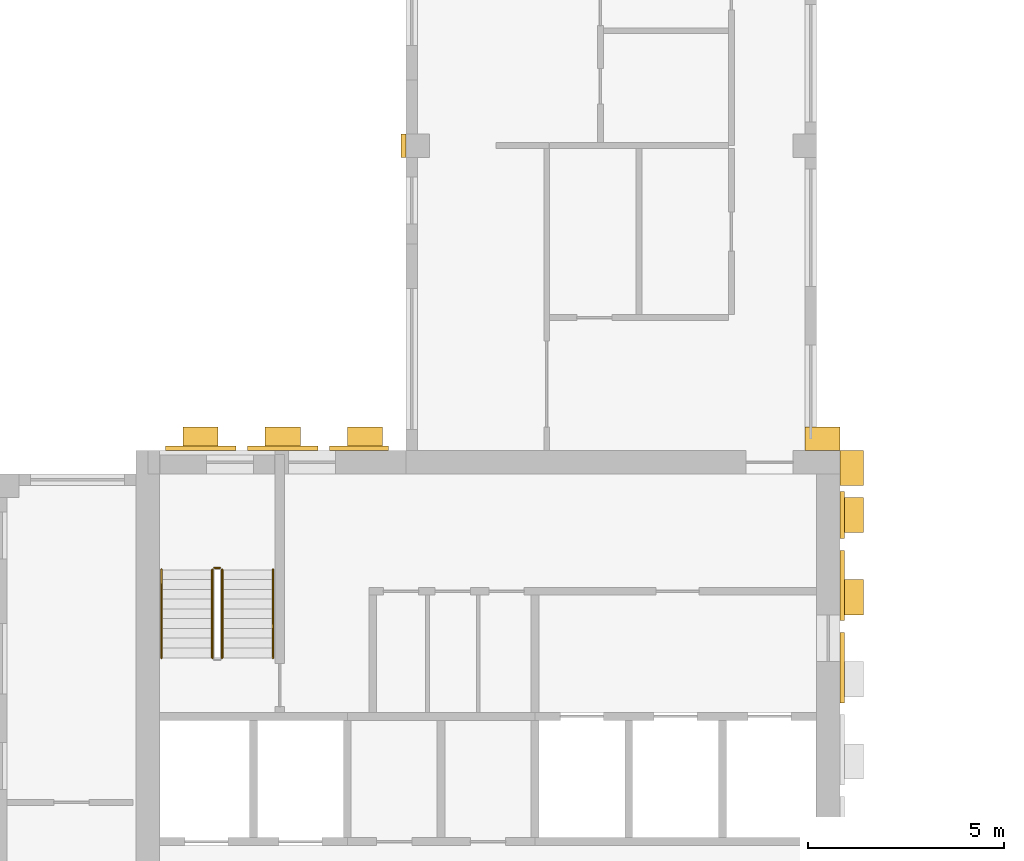
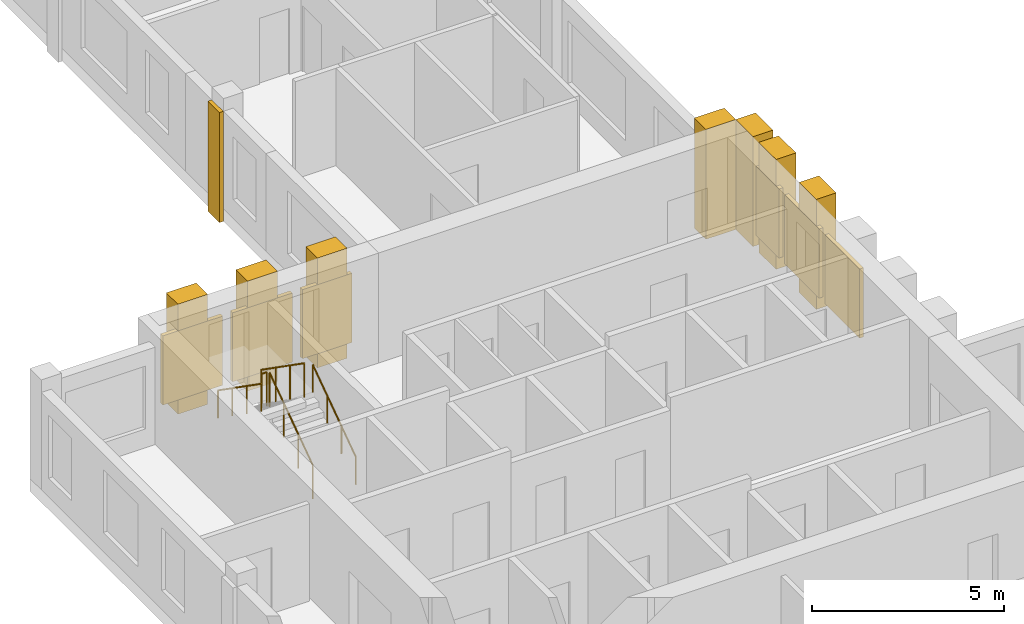
# One storey, part 8 of 10: 14 coverings, 5 railings.
"""IFC4 building model written with IfcOpenShell, lengths in metres."""

import ifcopenshell
import ifcopenshell.guid

model = None  # the IFC model being written
_history = None  # IfcOwnerHistory: only IFC2X3 demands one
_inside = {}  # id of a spatial element -> (the spatial element, [elements in it])
_under = {}  # id of a project, library or spatial element -> (it, [spatial elements below it])
_declared = {}  # id of a project -> (the project, [libraries it declares])
_typed = {}  # id of a type object -> (the type object, [elements of that type])
_made_of = {}  # id of a material, layer set ... -> (it, [elements and type objects made of it])


def new_model(schema):
    """Start an empty IFC model of exactly this schema.

    Asked for "IFC4X3", IfcOpenShell would pick the latest addendum, in which some entities
    have other attributes; the version numbers below select the first issue.
    IFC2X3 requires an IfcOwnerHistory on every rooted entity: one is made here for all.
    """
    global model, _history
    if schema == "IFC4X3":
        model = ifcopenshell.file(schema_version=(4, 3, 0, 0))
    else:
        model = ifcopenshell.file(schema=schema)
    _inside.clear()
    _under.clear()
    _declared.clear()
    _typed.clear()
    _made_of.clear()
    _history = None
    if model.schema == "IFC2X3":
        org = make("IfcOrganization", Name="unknown")
        user = make(
            "IfcPersonAndOrganization",
            ThePerson=make("IfcPerson", FamilyName="unknown"),
            TheOrganization=org,
        )
        app = make(
            "IfcApplication",
            ApplicationDeveloper=org,
            Version="unknown",
            ApplicationFullName="unknown",
            ApplicationIdentifier="unknown",
        )
        _history = make(
            "IfcOwnerHistory",
            OwningUser=user,
            OwningApplication=app,
            ChangeAction="ADDED",
            CreationDate=0,
        )
    return model


def make(cls, **values):
    """One entity of the class cls with the attributes given. An attribute that is None is left unset."""
    return model.create_entity(
        cls, **{name: value for name, value in values.items() if value is not None}
    )


def rooted(cls, **values):
    """An entity with a GlobalId (a new one), such as an element, a storey or a relation."""
    return make(cls, GlobalId=ifcopenshell.guid.new(), OwnerHistory=_history, **values)


def si_unit(unit_type, name, prefix=None):
    """IfcSIUnit, for example si_unit("LENGTHUNIT", "METRE", prefix="MILLI")."""
    return make("IfcSIUnit", UnitType=unit_type, Prefix=prefix, Name=name)


def assignment(units):
    """IfcUnitAssignment: the units of a project."""
    return None if units is None else make("IfcUnitAssignment", Units=units)


def point(xyz):
    """IfcCartesianPoint."""
    return None if xyz is None else make("IfcCartesianPoint", Coordinates=xyz)


def direction(xyz):
    """IfcDirection."""
    return None if xyz is None else make("IfcDirection", DirectionRatios=xyz)


def frame(location, z_axis=None, x_axis=None):
    """IfcAxis2Placement3D, a coordinate frame: its origin and axes. An axis left out is left unset."""
    return make(
        "IfcAxis2Placement3D",
        Location=point(location),
        Axis=direction(z_axis),
        RefDirection=direction(x_axis),
    )


def frame_2d(location, x_axis=None):
    """IfcAxis2Placement2D, a coordinate frame in the plane: its origin and x axis."""
    return make(
        "IfcAxis2Placement2D", Location=point(location), RefDirection=direction(x_axis)
    )


def origin():
    """The frame at (0, 0, 0) with its axes left unset."""
    return frame((0.0, 0.0, 0.0))


def origin_2d():
    """The frame at (0, 0) in the plane with its x axis left unset."""
    return frame_2d((0.0, 0.0))


def place(relative_to, where):
    """IfcLocalPlacement: puts the frame where relative to a parent placement (None: the world)."""
    return make(
        "IfcLocalPlacement", PlacementRelTo=relative_to, RelativePlacement=where
    )


def context(
    kind, dimensions, precision=None, world=None, true_north=None, identifier=None
):
    """IfcGeometricRepresentationContext, for example the 3D "Model" context."""
    return make(
        "IfcGeometricRepresentationContext",
        ContextIdentifier=identifier,
        ContextType=kind,
        CoordinateSpaceDimension=dimensions,
        Precision=precision,
        WorldCoordinateSystem=world,
        TrueNorth=true_north,
    )


def subcontext(parent, identifier, kind, view, scale=None):
    """IfcGeometricRepresentationSubContext, for example "Body" below "Model"."""
    return make(
        "IfcGeometricRepresentationSubContext",
        ContextIdentifier=identifier,
        ContextType=kind,
        ParentContext=parent,
        TargetScale=scale,
        TargetView=view,
    )


def project(units=None, contexts=None):
    """IfcProject with its units and contexts."""
    return rooted(
        "IfcProject",
        Name="project",
        RepresentationContexts=contexts,
        UnitsInContext=assignment(units),
    )


def spatial(cls, under=None, at=None, **own):
    """A site, building, storey or space (cls), placed at a placement, below another one or the project."""
    s = rooted(cls, ObjectPlacement=at, **own)
    if under is not None:
        _under.setdefault(under.id(), (under, []))[1].append(s)
    return s


def profile(cls, at=None, kind="AREA", **sizes):
    """A parametric profile (cls). Its sizes go by their IFC names, for example OverallWidth=200.0."""
    return make(cls, ProfileType=kind, Position=at, **sizes)


def rectangle(**sizes):
    """IfcRectangleProfileDef."""
    return profile("IfcRectangleProfileDef", **sizes)


def circle(**sizes):
    """IfcCircleProfileDef."""
    return profile("IfcCircleProfileDef", **sizes)


def extrude(swept, where, along, depth):
    """IfcExtrudedAreaSolid: the profile swept, set in the frame where, extruded along a direction by depth."""
    return make(
        "IfcExtrudedAreaSolid",
        SweptArea=swept,
        Position=where,
        ExtrudedDirection=direction(along),
        Depth=depth,
    )


def shape(context_of_items, identifier, shape_type, items):
    """IfcShapeRepresentation: the items that make up one representation, for example the "Body"."""
    return make(
        "IfcShapeRepresentation",
        ContextOfItems=context_of_items,
        RepresentationIdentifier=identifier,
        RepresentationType=shape_type,
        Items=items,
    )


def source(mapping_origin, context_of_items, identifier, shape_type, items):
    """IfcRepresentationMap: a shape defined once, which mapped items show again and again."""
    return make(
        "IfcRepresentationMap",
        MappingOrigin=mapping_origin,
        MappedRepresentation=shape(context_of_items, identifier, shape_type, items),
    )


def transform(
    local_origin,
    x_axis=None,
    y_axis=None,
    z_axis=None,
    scale=None,
    scale2=None,
    scale3=None,
    uniform=True,
):
    """IfcCartesianTransformationOperator3D, or its non-uniform kind. x_axis, y_axis, z_axis: its Axis1, 2, 3."""
    if uniform:
        return make(
            "IfcCartesianTransformationOperator3D",
            Axis1=direction(x_axis),
            Axis2=direction(y_axis),
            LocalOrigin=point(local_origin),
            Scale=scale,
            Axis3=direction(z_axis),
        )
    return make(
        "IfcCartesianTransformationOperator3DnonUniform",
        Axis1=direction(x_axis),
        Axis2=direction(y_axis),
        LocalOrigin=point(local_origin),
        Scale=scale,
        Axis3=direction(z_axis),
        Scale2=scale2,
        Scale3=scale3,
    )


def mapped(mapping_source, mapping_target):
    """IfcMappedItem: shows the shape of a source again, moved by a transform."""
    return make(
        "IfcMappedItem", MappingSource=mapping_source, MappingTarget=mapping_target
    )


def material(Name=None, Category=None):
    """IfcMaterial."""
    return make("IfcMaterial", Name=Name, Category=Category)


def made_of(thing, what):
    """Note that an element or type object is made of a material, layer set ...; save() writes the relation."""
    if what is not None:
        _made_of.setdefault(what.id(), (what, []))[1].append(thing)
    return thing


def type_object(cls, material=None, **own):
    """A type object (cls), such as IfcWallType, which elements share."""
    return made_of(rooted(cls, **own), material)


def element(
    cls,
    number,
    at=None,
    inside=None,
    cuts=None,
    type_object=None,
    material=None,
    context=None,
    identifier="Body",
    shape_type=None,
    held_by="IfcProductDefinitionShape",
    body=None,
    shapes=None,
    **own,
):
    """One element of the class cls, such as IfcWall. Its Tag is "e" and its number.

    at: its placement. inside: the storey or other place that contains it. cuts: it is an
    opening in that element (IfcRelVoidsElement). A single representation is given by context,
    identifier, shape_type and body (its items); several are given by shapes. held_by: the class
    of the entity that holds the representations. save() writes the other relations.
    """
    e = rooted(cls, Tag="e%d" % number, ObjectPlacement=at, **own)
    if body is not None:
        shapes = [shape(context, identifier, shape_type, body)]
    if shapes is not None:
        e.Representation = make(held_by, Representations=shapes)
    if inside is not None:
        _inside.setdefault(inside.id(), (inside, []))[1].append(e)
    if cuts is not None:
        rooted(
            "IfcRelVoidsElement", RelatingBuildingElement=cuts, RelatedOpeningElement=e
        )
    if type_object is not None:
        _typed.setdefault(type_object.id(), (type_object, []))[1].append(e)
    return made_of(e, material)


def aggregate(whole, parts):
    """IfcRelAggregates: a whole, such as a stair, and the parts it consists of."""
    return rooted("IfcRelAggregates", RelatingObject=whole, RelatedObjects=parts)


def save(model, path):
    """Write the relations noted so far, then the file.

    IfcRelAggregates (storeys below a building ...), IfcRelContainedInSpatialStructure (elements
    in a storey), IfcRelDefinesByType, IfcRelAssociatesMaterial and IfcRelDeclares: one each for
    every whole, place, type object, material and project.
    """
    for whole, parts in _under.values():
        aggregate(whole, parts)
    for where, things in _inside.values():
        rooted(
            "IfcRelContainedInSpatialStructure",
            RelatedElements=things,
            RelatingStructure=where,
        )
    for kind, things in _typed.values():
        rooted("IfcRelDefinesByType", RelatedObjects=things, RelatingType=kind)
    for what, things in _made_of.values():
        rooted("IfcRelAssociatesMaterial", RelatedObjects=things, RelatingMaterial=what)
    for by, libraries in _declared.values():
        rooted("IfcRelDeclares", RelatingContext=by, RelatedDefinitions=libraries)
    model.write(path)


model = new_model("IFC4")

# Units and contexts
model_context = context("Model", 3, precision=1e-05, world=origin(), true_north=direction((0.0, 1.0)))
body_context = subcontext(model_context, "Body", "Model", "MODEL_VIEW")
ifc_project = project(units=[si_unit("LENGTHUNIT", "METRE"), si_unit("AREAUNIT", "SQUARE_METRE"), si_unit("VOLUMEUNIT", "CUBIC_METRE"), si_unit("PLANEANGLEUNIT", "RADIAN"), si_unit("MASSUNIT", "GRAM", prefix="KILO")], contexts=[model_context])

# Site, building, storey
site_placement = place(None, origin())
site = spatial("IfcSite", under=ifc_project, at=site_placement, CompositionType="ELEMENT")
building_placement = place(site_placement, origin())
building = spatial("IfcBuilding", under=site, at=building_placement, Name="Aurelian Terraces", CompositionType="ELEMENT")
storey_placement = place(building_placement, frame((0.0, 0.0, 358.0)))
storey = spatial("IfcBuildingStorey", under=building, at=storey_placement, Name="L85", CompositionType="ELEMENT", Elevation=358.0)

# Coverings
ifc_material_1 = material(Name="Terracotta rainscreen cladding louvre blades", Category="masonry")
covering_type_1 = type_object("IfcCoveringType", Name="LOUVRE-TC", PredefinedType="CLADDING", material=ifc_material_1)
shared_shape_1 = source(origin(), body_context, "Body", "SweptSolid", [
    extrude(rectangle(XDim=0.12, YDim=1.8, at=origin_2d()), origin(), (0.0, 0.0, 1.0), 2.2),
])
for number, where, z_axis, x_axis, name in (
    (1, (21.66, 16.05, 0.45), (0.0, 0.0, 1.0), (1.0, 0.0, 0.0), "LOUVRE L85 core face E.3"),
    (2, (21.66, 18.15, 0.45), (0.0, 0.0, 1.0), (1.0, 0.0, 0.0), "LOUVRE L85 core face E.4"),
):
    element("IfcCovering", number, at=place(storey_placement, frame(where, z_axis=z_axis, x_axis=x_axis)), inside=storey, type_object=covering_type_1, Name=name, PredefinedType="CLADDING", context=body_context, shape_type="MappedRepresentation", body=[
        mapped(shared_shape_1, transform((0.0, 0.0, 0.0), scale=1.0)),
    ])
shared_shape_2 = source(origin(), body_context, "Body", "SweptSolid", [
    extrude(rectangle(XDim=1.8, YDim=0.12, at=origin_2d()), origin(), (0.0, 0.0, 1.0), 2.2),
])
for number, where, z_axis, x_axis, name in (
    (3, (5.25, 21.66, 0.45), (0.0, 0.0, 1.0), (1.0, 0.0, 0.0), "LOUVRE L85 core face N.1"),
    (4, (7.35, 21.66, 0.45), (0.0, 0.0, 1.0), (1.0, 0.0, 0.0), "LOUVRE L85 core face N.2"),
):
    element("IfcCovering", number, at=place(storey_placement, frame(where, z_axis=z_axis, x_axis=x_axis)), inside=storey, type_object=covering_type_1, Name=name, PredefinedType="CLADDING", context=body_context, shape_type="MappedRepresentation", body=[
        mapped(shared_shape_2, transform((0.0, 0.0, 0.0), scale=1.0)),
    ])
shared_shape_3 = source(origin(), body_context, "Body", "SweptSolid", [
    extrude(rectangle(XDim=0.12, YDim=1.2, at=origin_2d()), origin(), (0.0, 0.0, 1.0), 2.2),
])
covering_1_placement = place(storey_placement, frame((21.66, 19.95, 0.45), z_axis=(0.0, 0.0, 1.0), x_axis=(1.0, 0.0, 0.0)))
element("IfcCovering", 5, at=covering_1_placement, inside=storey, type_object=covering_type_1, Name="LOUVRE L85 core face E.5", PredefinedType="CLADDING", context=body_context, shape_type="MappedRepresentation", body=[
    mapped(shared_shape_3, transform((0.0, 0.0, 0.0), scale=1.0)),
])
shared_shape_4 = source(origin(), body_context, "Body", "SweptSolid", [
    extrude(rectangle(XDim=1.5, YDim=0.12, at=origin_2d()), origin(), (0.0, 0.0, 1.0), 2.2),
])
covering_2_placement = place(storey_placement, frame((9.3, 21.66, 0.45), z_axis=(0.0, 0.0, 1.0), x_axis=(1.0, 0.0, 0.0)))
element("IfcCovering", 6, at=covering_2_placement, inside=storey, type_object=covering_type_1, Name="LOUVRE L85 core face N.3", PredefinedType="CLADDING", context=body_context, shape_type="MappedRepresentation", body=[
    mapped(shared_shape_4, transform((0.0, 0.0, 0.0), scale=1.0)),
])
ifc_material_2 = material(Name="Terracotta rainscreen cladding relief", Category="masonry")
covering_type_2 = type_object("IfcCoveringType", Name="BAGUETTE-TC", PredefinedType="CLADDING", material=ifc_material_2)
shared_shape_5 = source(origin(), body_context, "Body", "SweptSolid", [
    extrude(rectangle(XDim=0.12, YDim=0.6, at=origin_2d()), origin(), (0.0, 0.0, 1.0), 3.5),
])
covering_3_placement = place(storey_placement, frame((10.44, 29.4, -0.4), z_axis=(0.0, 0.0, 1.0), x_axis=(1.0, 0.0, 0.0)))
element("IfcCovering", 7, at=covering_3_placement, inside=storey, type_object=covering_type_2, Name="BAGUETTE pier L85 6", PredefinedType="CLADDING", context=body_context, shape_type="MappedRepresentation", body=[
    mapped(shared_shape_5, transform((0.0, 0.0, 0.0), scale=1.0)),
])

# Railings
ifc_material_3 = material(Name="Stainless steel", Category="steel")
railing_type_1 = type_object("IfcRailingType", Name="Stair guard 1100", PredefinedType="GUARDRAIL", material=ifc_material_3)
shared_shape_6 = source(origin(), body_context, "Body", "SweptSolid", [
    extrude(circle(Radius=0.024, at=origin_2d()), frame((0.0, 0.0, 1.076), z_axis=(-1.0, 0.0, 0.0), x_axis=(0.0, -1.0, 0.0)), (0.0, 0.0, 1.0), 0.15),
    extrude(circle(Radius=0.021, at=origin_2d()), origin(), (0.0, 0.0, 1.0), 1.052),
    extrude(circle(Radius=0.021, at=origin_2d()), frame((-0.15, 0.0, 0.0)), (0.0, 0.0, 1.0), 1.052),
])
railing_1_placement = place(storey_placement, frame((5.75, 18.6, 1.75)))
element("IfcRailing", 8, at=railing_1_placement, inside=storey, type_object=railing_type_1, Name="L85 S1 stair guard 2", PredefinedType="GUARDRAIL", context=body_context, shape_type="MappedRepresentation", body=[
    mapped(shared_shape_6, transform((0.0, 0.0, 0.0), scale=1.0)),
])
shared_shape_7 = source(origin(), body_context, "Body", "SweptSolid", [
    extrude(circle(Radius=0.024, at=origin_2d()), frame((0.0, 0.0, 1.076), z_axis=(0.0, 0.819231920519, 0.573462344363), x_axis=(-1.0, 0.0, 0.0)), (0.0, 0.0, 1.0), 2.7465),
    extrude(circle(Radius=0.021, at=origin_2d()), origin(), (0.0, 0.0, 1.0), 1.052),
    extrude(circle(Radius=0.021, at=origin_2d()), frame((0.0, 0.75, 0.525)), (0.0, 0.0, 1.0), 1.052),
    extrude(circle(Radius=0.021, at=origin_2d()), frame((0.0, 1.5, 1.05)), (0.0, 0.0, 1.0), 1.052),
    extrude(circle(Radius=0.021, at=origin_2d()), frame((0.0, 2.25, 1.575)), (0.0, 0.0, 1.0), 1.052),
])
railing_2_placement = place(storey_placement, frame((5.8, 16.3, 0.175)))
element("IfcRailing", 9, at=railing_2_placement, inside=storey, type_object=railing_type_1, Name="L85 S1 stair guard 1", PredefinedType="GUARDRAIL", context=body_context, shape_type="MappedRepresentation", body=[
    mapped(shared_shape_7, transform((0.0, 0.0, 0.0), scale=1.0)),
])
shared_shape_8 = source(origin(), body_context, "Body", "SweptSolid", [
    extrude(circle(Radius=0.024, at=origin_2d()), frame((0.0, 0.0, 1.076), z_axis=(0.0, -0.819231920519, 0.573462344363), x_axis=(1.0, 0.0, 0.0)), (0.0, 0.0, 1.0), 2.7465),
    extrude(circle(Radius=0.021, at=origin_2d()), origin(), (0.0, 0.0, 1.0), 1.052),
    extrude(circle(Radius=0.021, at=origin_2d()), frame((0.0, -0.75, 0.525)), (0.0, 0.0, 1.0), 1.052),
    extrude(circle(Radius=0.021, at=origin_2d()), frame((0.0, -1.5, 1.05)), (0.0, 0.0, 1.0), 1.052),
    extrude(circle(Radius=0.021, at=origin_2d()), frame((0.0, -2.25, 1.575)), (0.0, 0.0, 1.0), 1.052),
])
railing_3_placement = place(storey_placement, frame((5.55, 18.55, 1.925)))
element("IfcRailing", 10, at=railing_3_placement, inside=storey, type_object=railing_type_1, Name="L85 S1 stair guard 3", PredefinedType="GUARDRAIL", context=body_context, shape_type="MappedRepresentation", body=[
    mapped(shared_shape_8, transform((0.0, 0.0, 0.0), scale=1.0)),
])
railing_type_2 = type_object("IfcRailingType", Name="Stair handrail", PredefinedType="HANDRAIL", material=ifc_material_3)
shared_shape_9 = source(origin(), body_context, "Body", "SweptSolid", [
    extrude(circle(Radius=0.024, at=origin_2d()), frame((0.0, 0.0, 0.876), z_axis=(0.0, 0.819231920519, 0.573462344363), x_axis=(-1.0, 0.0, 0.0)), (0.0, 0.0, 1.0), 2.7465),
    extrude(circle(Radius=0.021, at=origin_2d()), origin(), (0.0, 0.0, 1.0), 0.852),
    extrude(circle(Radius=0.021, at=origin_2d()), frame((0.0, 0.75, 0.525)), (0.0, 0.0, 1.0), 0.852),
    extrude(circle(Radius=0.021, at=origin_2d()), frame((0.0, 1.5, 1.05)), (0.0, 0.0, 1.0), 0.852),
    extrude(circle(Radius=0.021, at=origin_2d()), frame((0.0, 2.25, 1.575)), (0.0, 0.0, 1.0), 0.852),
])
railing_4_placement = place(storey_placement, frame((7.1, 16.3, 0.175)))
element("IfcRailing", 11, at=railing_4_placement, inside=storey, type_object=railing_type_2, Name="L85 S1 stair handrail 1", PredefinedType="HANDRAIL", context=body_context, shape_type="MappedRepresentation", body=[
    mapped(shared_shape_9, transform((0.0, 0.0, 0.0), scale=1.0)),
])
shared_shape_10 = source(origin(), body_context, "Body", "SweptSolid", [
    extrude(circle(Radius=0.024, at=origin_2d()), frame((0.0, 0.0, 0.876), z_axis=(0.0, -0.819231920519, 0.573462344363), x_axis=(1.0, 0.0, 0.0)), (0.0, 0.0, 1.0), 2.7465),
    extrude(circle(Radius=0.021, at=origin_2d()), origin(), (0.0, 0.0, 1.0), 0.852),
    extrude(circle(Radius=0.021, at=origin_2d()), frame((0.0, -0.75, 0.525)), (0.0, 0.0, 1.0), 0.852),
    extrude(circle(Radius=0.021, at=origin_2d()), frame((0.0, -1.5, 1.05)), (0.0, 0.0, 1.0), 0.852),
    extrude(circle(Radius=0.021, at=origin_2d()), frame((0.0, -2.25, 1.575)), (0.0, 0.0, 1.0), 0.852),
])
railing_5_placement = place(storey_placement, frame((4.25, 18.55, 1.925)))
element("IfcRailing", 12, at=railing_5_placement, inside=storey, type_object=railing_type_2, Name="L85 S1 stair handrail 2", PredefinedType="HANDRAIL", context=body_context, shape_type="MappedRepresentation", body=[
    mapped(shared_shape_10, transform((0.0, 0.0, 0.0), scale=1.0)),
])

# Coverings
covering_type_3 = type_object("IfcCoveringType", Name="Core spine pier 900x600", PredefinedType="CLADDING", material=ifc_material_2)
shared_shape_11 = source(origin(), body_context, "Body", "SweptSolid", [
    extrude(rectangle(XDim=0.6, YDim=0.9, at=origin_2d()), origin(), (0.0, 0.0, 1.0), 3.5),
])
for number, where, z_axis, x_axis, name in (
    (13, (21.9, 17.85, 0.0), (0.0, 0.0, 1.0), (1.0, 0.0, 0.0), "Spine pier L85 E4"),
    (14, (21.9, 19.95, 0.0), (0.0, 0.0, 1.0), (1.0, 0.0, 0.0), "Spine pier L85 E5"),
    (15, (21.9, 21.15, 0.0), (0.0, 0.0, 1.0), (1.0, 0.0, 0.0), "Spine pier L85 corner east"),
):
    element("IfcCovering", number, at=place(storey_placement, frame(where, z_axis=z_axis, x_axis=x_axis)), inside=storey, type_object=covering_type_3, Name=name, PredefinedType="CLADDING", context=body_context, shape_type="MappedRepresentation", body=[
        mapped(shared_shape_11, transform((0.0, 0.0, 0.0), scale=1.0)),
    ])
shared_shape_12 = source(origin(), body_context, "Body", "SweptSolid", [
    extrude(rectangle(XDim=0.9, YDim=0.6, at=origin_2d()), origin(), (0.0, 0.0, 1.0), 3.5),
])
for number, where, z_axis, x_axis, name in (
    (16, (5.25, 21.9, 0.0), (0.0, 0.0, 1.0), (1.0, 0.0, 0.0), "Spine pier L85 N6"),
    (17, (7.35, 21.9, 0.0), (0.0, 0.0, 1.0), (1.0, 0.0, 0.0), "Spine pier L85 N7"),
    (18, (9.45, 21.9, 0.0), (0.0, 0.0, 1.0), (1.0, 0.0, 0.0), "Spine pier L85 N8"),
    (19, (21.15, 21.9, 0.0), (0.0, 0.0, 1.0), (1.0, 0.0, 0.0), "Spine pier L85 corner north"),
):
    element("IfcCovering", number, at=place(storey_placement, frame(where, z_axis=z_axis, x_axis=x_axis)), inside=storey, type_object=covering_type_3, Name=name, PredefinedType="CLADDING", context=body_context, shape_type="MappedRepresentation", body=[
        mapped(shared_shape_12, transform((0.0, 0.0, 0.0), scale=1.0)),
    ])

save(model, "model.ifc")
